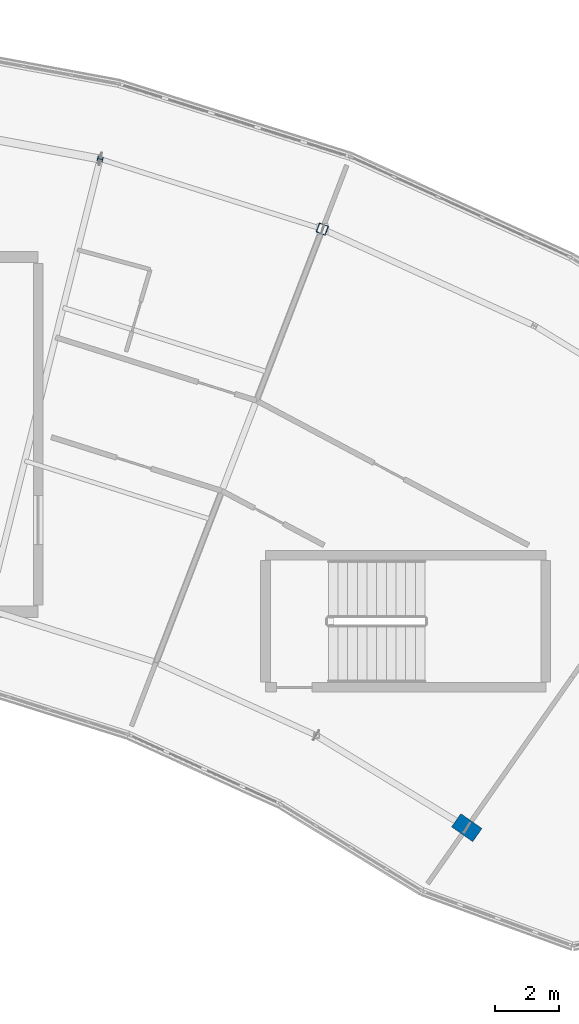
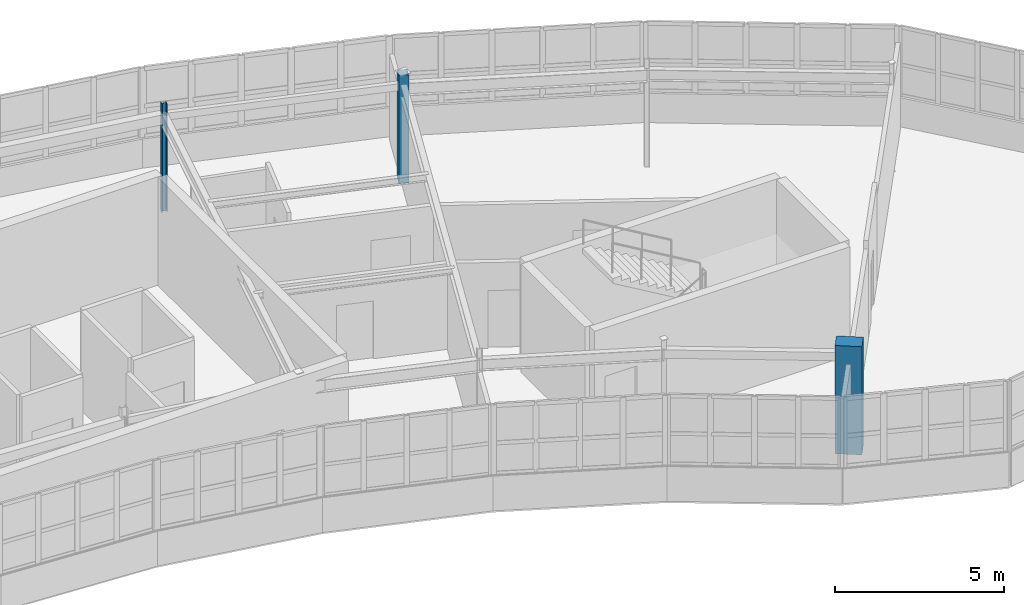
# One storey, part 11 of 65: 3 columns.
"""IFC4 building model written with IfcOpenShell, lengths in metres."""

import ifcopenshell
import ifcopenshell.guid

model = None  # the IFC model being written
_history = None  # IfcOwnerHistory: only IFC2X3 demands one
_inside = {}  # id of a spatial element -> (the spatial element, [elements in it])
_under = {}  # id of a project, library or spatial element -> (it, [spatial elements below it])
_declared = {}  # id of a project -> (the project, [libraries it declares])
_typed = {}  # id of a type object -> (the type object, [elements of that type])
_made_of = {}  # id of a material, layer set ... -> (it, [elements and type objects made of it])


def new_model(schema):
    """Start an empty IFC model of exactly this schema.

    Asked for "IFC4X3", IfcOpenShell would pick the latest addendum, in which some entities
    have other attributes; the version numbers below select the first issue.
    IFC2X3 requires an IfcOwnerHistory on every rooted entity: one is made here for all.
    """
    global model, _history
    if schema == "IFC4X3":
        model = ifcopenshell.file(schema_version=(4, 3, 0, 0))
    else:
        model = ifcopenshell.file(schema=schema)
    _inside.clear()
    _under.clear()
    _declared.clear()
    _typed.clear()
    _made_of.clear()
    _history = None
    if model.schema == "IFC2X3":
        org = make("IfcOrganization", Name="unknown")
        user = make(
            "IfcPersonAndOrganization",
            ThePerson=make("IfcPerson", FamilyName="unknown"),
            TheOrganization=org,
        )
        app = make(
            "IfcApplication",
            ApplicationDeveloper=org,
            Version="unknown",
            ApplicationFullName="unknown",
            ApplicationIdentifier="unknown",
        )
        _history = make(
            "IfcOwnerHistory",
            OwningUser=user,
            OwningApplication=app,
            ChangeAction="ADDED",
            CreationDate=0,
        )
    return model


def make(cls, **values):
    """One entity of the class cls with the attributes given. An attribute that is None is left unset."""
    return model.create_entity(
        cls, **{name: value for name, value in values.items() if value is not None}
    )


def rooted(cls, **values):
    """An entity with a GlobalId (a new one), such as an element, a storey or a relation."""
    return make(cls, GlobalId=ifcopenshell.guid.new(), OwnerHistory=_history, **values)


def si_unit(unit_type, name, prefix=None):
    """IfcSIUnit, for example si_unit("LENGTHUNIT", "METRE", prefix="MILLI")."""
    return make("IfcSIUnit", UnitType=unit_type, Prefix=prefix, Name=name)


def assignment(units):
    """IfcUnitAssignment: the units of a project."""
    return None if units is None else make("IfcUnitAssignment", Units=units)


def point(xyz):
    """IfcCartesianPoint."""
    return None if xyz is None else make("IfcCartesianPoint", Coordinates=xyz)


def direction(xyz):
    """IfcDirection."""
    return None if xyz is None else make("IfcDirection", DirectionRatios=xyz)


def frame(location, z_axis=None, x_axis=None):
    """IfcAxis2Placement3D, a coordinate frame: its origin and axes. An axis left out is left unset."""
    return make(
        "IfcAxis2Placement3D",
        Location=point(location),
        Axis=direction(z_axis),
        RefDirection=direction(x_axis),
    )


def frame_2d(location, x_axis=None):
    """IfcAxis2Placement2D, a coordinate frame in the plane: its origin and x axis."""
    return make(
        "IfcAxis2Placement2D", Location=point(location), RefDirection=direction(x_axis)
    )


def origin():
    """The frame at (0, 0, 0) with its axes left unset."""
    return frame((0.0, 0.0, 0.0))


def origin_2d():
    """The frame at (0, 0) in the plane with its x axis left unset."""
    return frame_2d((0.0, 0.0))


def place(relative_to, where):
    """IfcLocalPlacement: puts the frame where relative to a parent placement (None: the world)."""
    return make(
        "IfcLocalPlacement", PlacementRelTo=relative_to, RelativePlacement=where
    )


def context(
    kind, dimensions, precision=None, world=None, true_north=None, identifier=None
):
    """IfcGeometricRepresentationContext, for example the 3D "Model" context."""
    return make(
        "IfcGeometricRepresentationContext",
        ContextIdentifier=identifier,
        ContextType=kind,
        CoordinateSpaceDimension=dimensions,
        Precision=precision,
        WorldCoordinateSystem=world,
        TrueNorth=true_north,
    )


def subcontext(parent, identifier, kind, view, scale=None):
    """IfcGeometricRepresentationSubContext, for example "Body" below "Model"."""
    return make(
        "IfcGeometricRepresentationSubContext",
        ContextIdentifier=identifier,
        ContextType=kind,
        ParentContext=parent,
        TargetScale=scale,
        TargetView=view,
    )


def project(units=None, contexts=None):
    """IfcProject with its units and contexts."""
    return rooted(
        "IfcProject",
        Name="project",
        RepresentationContexts=contexts,
        UnitsInContext=assignment(units),
    )


def spatial(cls, under=None, at=None, **own):
    """A site, building, storey or space (cls), placed at a placement, below another one or the project."""
    s = rooted(cls, ObjectPlacement=at, **own)
    if under is not None:
        _under.setdefault(under.id(), (under, []))[1].append(s)
    return s


def profile(cls, at=None, kind="AREA", **sizes):
    """A parametric profile (cls). Its sizes go by their IFC names, for example OverallWidth=200.0."""
    return make(cls, ProfileType=kind, Position=at, **sizes)


def rectangle(**sizes):
    """IfcRectangleProfileDef."""
    return profile("IfcRectangleProfileDef", **sizes)


def hollow_rectangle(**sizes):
    """IfcRectangleHollowProfileDef."""
    return profile("IfcRectangleHollowProfileDef", **sizes)


def i_section(**sizes):
    """IfcIShapeProfileDef."""
    return profile("IfcIShapeProfileDef", **sizes)


def extrude(swept, where, along, depth):
    """IfcExtrudedAreaSolid: the profile swept, set in the frame where, extruded along a direction by depth."""
    return make(
        "IfcExtrudedAreaSolid",
        SweptArea=swept,
        Position=where,
        ExtrudedDirection=direction(along),
        Depth=depth,
    )


def shape(context_of_items, identifier, shape_type, items):
    """IfcShapeRepresentation: the items that make up one representation, for example the "Body"."""
    return make(
        "IfcShapeRepresentation",
        ContextOfItems=context_of_items,
        RepresentationIdentifier=identifier,
        RepresentationType=shape_type,
        Items=items,
    )


def material(Name=None, Category=None):
    """IfcMaterial."""
    return make("IfcMaterial", Name=Name, Category=Category)


def material_profile(
    of_material, cross_section, Name=None, Category=None, Priority=None
):
    """IfcMaterialProfile: a cross section and its material."""
    return make(
        "IfcMaterialProfile",
        Name=Name,
        Material=of_material,
        Profile=cross_section,
        Priority=Priority,
        Category=Category,
    )


def profile_set(profiles, Name=None, composite=None):
    """IfcMaterialProfileSet."""
    return make(
        "IfcMaterialProfileSet",
        Name=Name,
        MaterialProfiles=profiles,
        CompositeProfile=composite,
    )


def made_of(thing, what):
    """Note that an element or type object is made of a material, layer set ...; save() writes the relation."""
    if what is not None:
        _made_of.setdefault(what.id(), (what, []))[1].append(thing)
    return thing


def type_object(cls, material=None, **own):
    """A type object (cls), such as IfcWallType, which elements share."""
    return made_of(rooted(cls, **own), material)


def element(
    cls,
    number,
    at=None,
    inside=None,
    cuts=None,
    type_object=None,
    material=None,
    context=None,
    identifier="Body",
    shape_type=None,
    held_by="IfcProductDefinitionShape",
    body=None,
    shapes=None,
    **own,
):
    """One element of the class cls, such as IfcWall. Its Tag is "e" and its number.

    at: its placement. inside: the storey or other place that contains it. cuts: it is an
    opening in that element (IfcRelVoidsElement). A single representation is given by context,
    identifier, shape_type and body (its items); several are given by shapes. held_by: the class
    of the entity that holds the representations. save() writes the other relations.
    """
    e = rooted(cls, Tag="e%d" % number, ObjectPlacement=at, **own)
    if body is not None:
        shapes = [shape(context, identifier, shape_type, body)]
    if shapes is not None:
        e.Representation = make(held_by, Representations=shapes)
    if inside is not None:
        _inside.setdefault(inside.id(), (inside, []))[1].append(e)
    if cuts is not None:
        rooted(
            "IfcRelVoidsElement", RelatingBuildingElement=cuts, RelatedOpeningElement=e
        )
    if type_object is not None:
        _typed.setdefault(type_object.id(), (type_object, []))[1].append(e)
    return made_of(e, material)


def aggregate(whole, parts):
    """IfcRelAggregates: a whole, such as a stair, and the parts it consists of."""
    return rooted("IfcRelAggregates", RelatingObject=whole, RelatedObjects=parts)


def save(model, path):
    """Write the relations noted so far, then the file.

    IfcRelAggregates (storeys below a building ...), IfcRelContainedInSpatialStructure (elements
    in a storey), IfcRelDefinesByType, IfcRelAssociatesMaterial and IfcRelDeclares: one each for
    every whole, place, type object, material and project.
    """
    for whole, parts in _under.values():
        aggregate(whole, parts)
    for where, things in _inside.values():
        rooted(
            "IfcRelContainedInSpatialStructure",
            RelatedElements=things,
            RelatingStructure=where,
        )
    for kind, things in _typed.values():
        rooted("IfcRelDefinesByType", RelatedObjects=things, RelatingType=kind)
    for what, things in _made_of.values():
        rooted("IfcRelAssociatesMaterial", RelatedObjects=things, RelatingMaterial=what)
    for by, libraries in _declared.values():
        rooted("IfcRelDeclares", RelatingContext=by, RelatedDefinitions=libraries)
    model.write(path)


model = new_model("IFC4")

# Units and contexts
model_context = context("Model", 3, precision=1e-05, world=origin(), true_north=direction((0.0, 1.0)))
body_context = subcontext(model_context, "Body", "Model", "MODEL_VIEW")
ifc_project = project(units=[si_unit("LENGTHUNIT", "METRE"), si_unit("AREAUNIT", "SQUARE_METRE"), si_unit("VOLUMEUNIT", "CUBIC_METRE"), si_unit("PLANEANGLEUNIT", "RADIAN"), si_unit("MASSUNIT", "GRAM", prefix="KILO")], contexts=[model_context])

# Site, building, storey
site_placement = place(None, origin())
site = spatial("IfcSite", under=ifc_project, at=site_placement, CompositionType="ELEMENT")
building_placement = place(site_placement, origin())
building = spatial("IfcBuilding", under=site, at=building_placement, Name="Tarnwether General Hospital", CompositionType="ELEMENT")
storey_placement = place(building_placement, frame((0.0, 0.0, 22.199951171875)))
storey = spatial("IfcBuildingStorey", under=building, at=storey_placement, Name="L05", CompositionType="ELEMENT", Elevation=22.199951171875)

# Columns
ifc_material_1 = material(Name="Concrete 50 MPa", Category="concrete")
ifc_material_profile_1 = material_profile(ifc_material_1, rectangle(XDim=0.5, YDim=0.800048828125, at=origin_2d()), Name="RC-PIL-500x800")
ifc_profile_set_1 = profile_set([ifc_material_profile_1], Name="Concrete 50 MPa")
column_type_1 = type_object("IfcColumnType", Name="COL-23", PredefinedType="PILASTER", material=ifc_profile_set_1)
column_1_placement = place(storey_placement, frame((117.696044921875, 99.697998046875, 0.0), z_axis=(0.0, 0.0, 1.0), x_axis=(0.573576436351, 0.819152044289, 0.0)))
element("IfcColumn", 1, at=column_1_placement, inside=storey, type_object=column_type_1, Name="Column COLG-L05-11770_9970", PredefinedType="PILASTER", context=body_context, shape_type="SweptSolid", body=[
    extrude(rectangle(XDim=0.5, YDim=0.800048828125, at=origin_2d()), origin(), (0.0, 0.0, 1.0), 3.900146484375),
])
ifc_material_2 = material(Name="Steel Grade 350 (350 MPa)", Category="steel")
ifc_material_profile_2 = material_profile(ifc_material_2, i_section(OverallWidth=0.154052734375, OverallDepth=0.162109375, WebThickness=0.008056640625, FlangeThickness=0.011474609375, at=origin_2d()), Name="150UC37.2")
ifc_profile_set_2 = profile_set([ifc_material_profile_2], Name="Steel Grade 350 (350 MPa)")
column_type_2 = type_object("IfcColumnType", Name="COL-28", PredefinedType="COLUMN", material=ifc_profile_set_2)
column_2_placement = place(storey_placement, frame((106.322021484375, 120.44189453125, 0.0), z_axis=(0.0, 0.0, 1.0), x_axis=(0.2419218956, 0.970295726276, 0.0)))
element("IfcColumn", 2, at=column_2_placement, inside=storey, type_object=column_type_2, Name="Column COLG-L05-10632_12044", PredefinedType="COLUMN", context=body_context, shape_type="SweptSolid", body=[
    extrude(i_section(OverallWidth=0.154052734375, OverallDepth=0.162109375, WebThickness=0.008056640625, FlangeThickness=0.011474609375, at=origin_2d()), origin(), (0.0, 0.0, 1.0), 3.900146484375),
])
ifc_material_3 = material(Name="Steel Grade C350L0 (350 MPa)", Category="steel")
ifc_material_profile_3 = material_profile(ifc_material_3, hollow_rectangle(XDim=0.300048828125, YDim=0.300048828125, WallThickness=0.012451171875, at=origin_2d()), Name="SHS300x300x12.5")
ifc_profile_set_3 = profile_set([ifc_material_profile_3], Name="Steel Grade C350L0 (350 MPa)")
column_type_3 = type_object("IfcColumnType", Name="COL-30", PredefinedType="COLUMN", material=ifc_profile_set_3)
column_3_placement = place(storey_placement, frame((113.215087890625, 118.26806640625, 0.0), z_axis=(0.0, 0.0, 1.0), x_axis=(0.358367949545, 0.933580426497, 0.0)))
element("IfcColumn", 3, at=column_3_placement, inside=storey, type_object=column_type_3, Name="Column COLG-L05-11322_11827", PredefinedType="COLUMN", context=body_context, shape_type="SweptSolid", body=[
    extrude(hollow_rectangle(XDim=0.300048828125, YDim=0.300048828125, WallThickness=0.012451171875, at=origin_2d()), origin(), (0.0, 0.0, 1.0), 3.900146484375),
])

save(model, "model.ifc")
